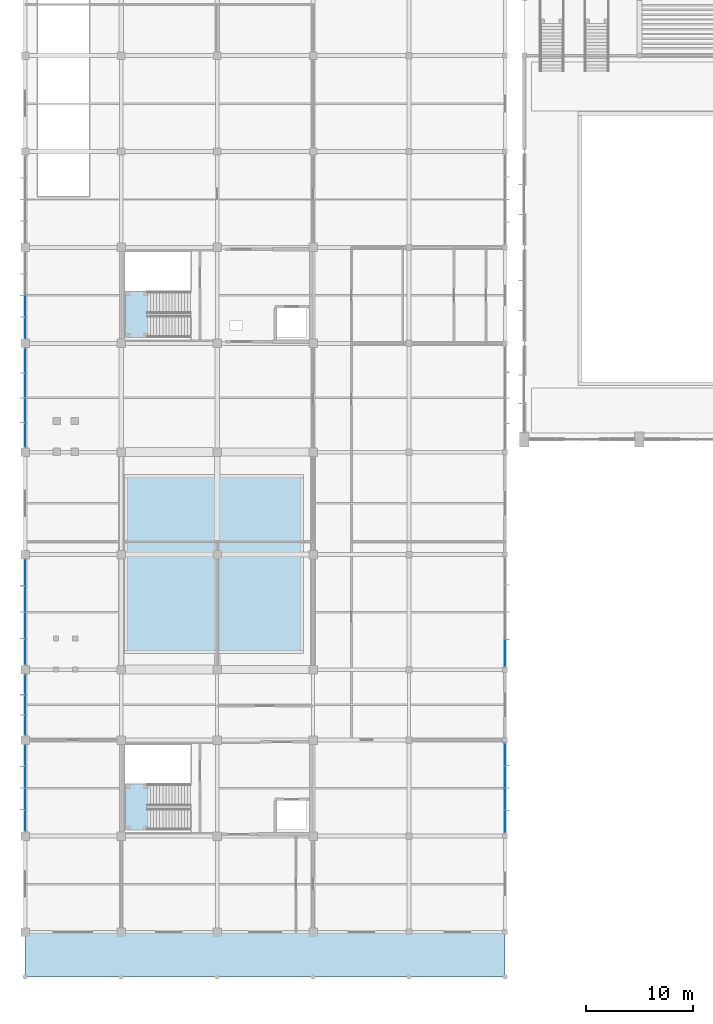
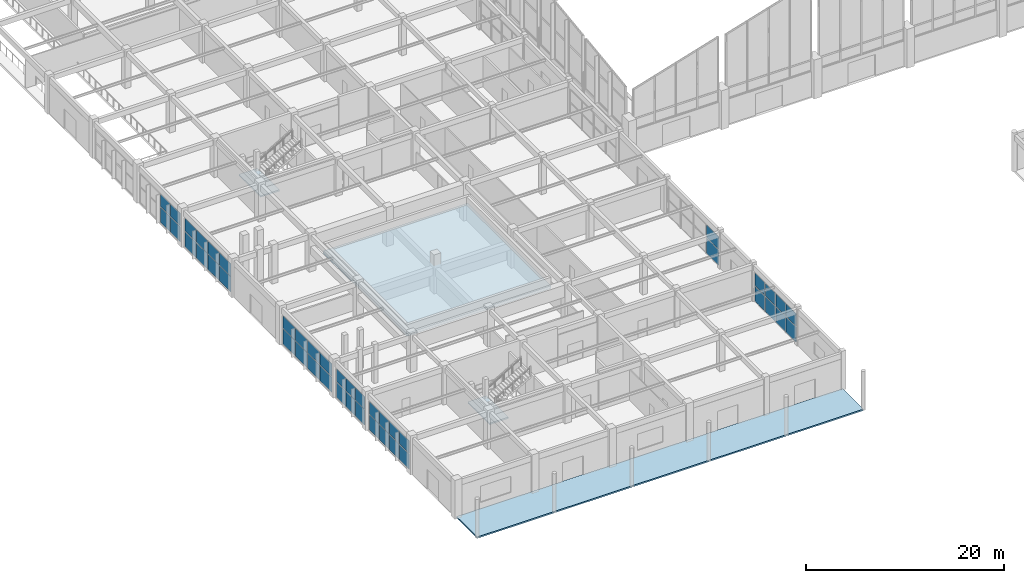
# One storey, part 39 of 82: 44 plates, 4 slabs, 9 elements without a shape of their own.
"""IFC4 building model written with IfcOpenShell, lengths in metres."""

from ifc_helpers import new_model, si_unit, direction, frame, origin, place, context, subcontext, project, spatial, polyline, outline, extrude, material, layer, layer_set, type_object, element, aggregate, save


model = new_model("IFC4")

# Units and contexts
model_context = context("Model", 3, precision=1e-05, world=origin(), true_north=direction((0.0, 1.0)))
body_context = subcontext(model_context, "Body", "Model", "MODEL_VIEW")
ifc_project = project(units=[si_unit("LENGTHUNIT", "METRE"), si_unit("AREAUNIT", "SQUARE_METRE"), si_unit("VOLUMEUNIT", "CUBIC_METRE"), si_unit("PLANEANGLEUNIT", "RADIAN"), si_unit("MASSUNIT", "GRAM", prefix="KILO")], contexts=[model_context])

# Site, building, storey
site_placement = place(None, origin())
site = spatial("IfcSite", under=ifc_project, at=site_placement, CompositionType="ELEMENT")
building_placement = place(site_placement, origin())
building = spatial("IfcBuilding", under=site, at=building_placement, Name="Suirenkawa Promenade Aquatics Centre", CompositionType="ELEMENT")
storey_placement = place(building_placement, origin())
storey = spatial("IfcBuildingStorey", under=building, at=storey_placement, Name="L00", CompositionType="ELEMENT", Elevation=0.0)

# Curtain wall, plates
ifc_material_1 = material(Name="Anodised aluminium 6063-T6", Category="aluminium")
curtain_wall_type_1 = type_object("IfcCurtainWallType", Name="CWAT-V5EL00-43", PredefinedType="NOTDEFINED", material=ifc_material_1)
curtain_wall_1_placement = place(storey_placement, origin())
curtain_wall_1 = element("IfcCurtainWall", 1, at=curtain_wall_1_placement, inside=storey, type_object=curtain_wall_type_1, Name="Curtain wall CWA-43 CW-086", PredefinedType="NOTDEFINED")
ifc_material_2 = material(Name="Low-E thermally broken double glazing", Category="glass")
ifc_layer_1 = layer(ifc_material_2, 0.028076171875, Name="Low-E thermally broken double glazing", Category="glass")
ifc_layer_set_1 = layer_set([ifc_layer_1], Name="Low-E thermally broken double glazing")
plate_type_1 = type_object("IfcPlateType", Name="CWP-LOWE-28", PredefinedType="CURTAIN_PANEL", material=ifc_layer_set_1)
plate_1_placement = place(storey_placement, frame((45.0, 21.90087890625, 0.0400390625), z_axis=(0.0, 0.0, 1.0), x_axis=(0.0, -1.0, 0.0)))
plate_1 = element("IfcPlate", 2, at=plate_1_placement, type_object=plate_type_1, Name="Glazed panel CP-02 CWP-01705", PredefinedType="CURTAIN_PANEL", context=body_context, shape_type="SweptSolid", body=[
    extrude(outline(polyline([(0.0400390625, 0.0), (2.060546875, 0.0), (2.060546875, 1.869873046875), (0.0400390625, 1.869873046875), (0.0400390625, 0.0)])), frame((0.0, 0.01416015625, 0.0), z_axis=(0.0, -1.0, 0.0), x_axis=(1.0, 0.0, 0.0)), (0.0, 0.0, 1.0), 0.028076171875),
])
plate_2_placement = place(storey_placement, frame((45.0, 21.90087890625, 1.989990234375), z_axis=(0.0, 0.0, 1.0), x_axis=(0.0, -1.0, 0.0)))
plate_2 = element("IfcPlate", 3, at=plate_2_placement, type_object=plate_type_1, Name="Top glazed panel CP-02 CWP-01706", PredefinedType="CURTAIN_PANEL", context=body_context, shape_type="SweptSolid", body=[
    extrude(outline(polyline([(0.0400390625, 0.0), (2.060546875, 0.0), (2.060546875, 1.5400390625), (0.0400390625, 1.5400390625), (0.0400390625, 0.0)])), frame((0.0, 0.01416015625, 0.0), z_axis=(0.0, -1.0, 0.0), x_axis=(1.0, 0.0, 0.0)), (0.0, 0.0, 1.0), 0.028076171875),
])
plate_3_placement = place(storey_placement, frame((45.0, 19.800537109375, 0.0400390625), z_axis=(0.0, 0.0, 1.0), x_axis=(0.0, -1.0, 0.0)))
plate_3 = element("IfcPlate", 4, at=plate_3_placement, type_object=plate_type_1, Name="Glazed panel CP-02 CWP-01707", PredefinedType="CURTAIN_PANEL", context=body_context, shape_type="SweptSolid", body=[
    extrude(outline(polyline([(0.0400390625, 0.0), (2.060546875, 0.0), (2.060546875, 1.869873046875), (0.0400390625, 1.869873046875), (0.0400390625, 0.0)])), frame((0.0, 0.01416015625, 0.0), z_axis=(0.0, -1.0, 0.0), x_axis=(1.0, 0.0, 0.0)), (0.0, 0.0, 1.0), 0.028076171875),
])
plate_4_placement = place(storey_placement, frame((45.0, 19.800537109375, 1.989990234375), z_axis=(0.0, 0.0, 1.0), x_axis=(0.0, -1.0, 0.0)))
plate_4 = element("IfcPlate", 5, at=plate_4_placement, type_object=plate_type_1, Name="Top glazed panel CP-02 CWP-01708", PredefinedType="CURTAIN_PANEL", context=body_context, shape_type="SweptSolid", body=[
    extrude(outline(polyline([(0.0400390625, 0.0), (2.060546875, 0.0), (2.060546875, 1.5400390625), (0.0400390625, 1.5400390625), (0.0400390625, 0.0)])), frame((0.0, 0.01416015625, 0.0), z_axis=(0.0, -1.0, 0.0), x_axis=(1.0, 0.0, 0.0)), (0.0, 0.0, 1.0), 0.028076171875),
])
plate_5_placement = place(storey_placement, frame((45.0, 17.699951171875, 0.0400390625), z_axis=(0.0, 0.0, 1.0), x_axis=(0.0, -1.0, 0.0)))
plate_5 = element("IfcPlate", 6, at=plate_5_placement, type_object=plate_type_1, Name="Glazed panel CP-02 CWP-01709", PredefinedType="CURTAIN_PANEL", context=body_context, shape_type="SweptSolid", body=[
    extrude(outline(polyline([(0.0400390625, 0.0), (2.060546875, 0.0), (2.060546875, 1.869873046875), (0.0400390625, 1.869873046875), (0.0400390625, 0.0)])), frame((0.0, 0.01416015625, 0.0), z_axis=(0.0, -1.0, 0.0), x_axis=(1.0, 0.0, 0.0)), (0.0, 0.0, 1.0), 0.028076171875),
])
plate_6_placement = place(storey_placement, frame((45.0, 17.699951171875, 1.989990234375), z_axis=(0.0, 0.0, 1.0), x_axis=(0.0, -1.0, 0.0)))
plate_6 = element("IfcPlate", 7, at=plate_6_placement, type_object=plate_type_1, Name="Top glazed panel CP-02 CWP-01710", PredefinedType="CURTAIN_PANEL", context=body_context, shape_type="SweptSolid", body=[
    extrude(outline(polyline([(0.0400390625, 0.0), (2.060546875, 0.0), (2.060546875, 1.5400390625), (0.0400390625, 1.5400390625), (0.0400390625, 0.0)])), frame((0.0, 0.01416015625, 0.0), z_axis=(0.0, -1.0, 0.0), x_axis=(1.0, 0.0, 0.0)), (0.0, 0.0, 1.0), 0.028076171875),
])
plate_7_placement = place(storey_placement, frame((45.0, 15.599609375, 0.0400390625), z_axis=(0.0, 0.0, 1.0), x_axis=(0.0, -1.0, 0.0)))
plate_7 = element("IfcPlate", 8, at=plate_7_placement, type_object=plate_type_1, Name="Glazed panel CP-02 CWP-01711", PredefinedType="CURTAIN_PANEL", context=body_context, shape_type="SweptSolid", body=[
    extrude(outline(polyline([(0.0400390625, 0.0), (2.060546875, 0.0), (2.060546875, 1.869873046875), (0.0400390625, 1.869873046875), (0.0400390625, 0.0)])), frame((0.0, 0.01416015625, 0.0), z_axis=(0.0, -1.0, 0.0), x_axis=(1.0, 0.0, 0.0)), (0.0, 0.0, 1.0), 0.028076171875),
])
plate_8_placement = place(storey_placement, frame((45.0, 15.599609375, 1.989990234375), z_axis=(0.0, 0.0, 1.0), x_axis=(0.0, -1.0, 0.0)))
plate_8 = element("IfcPlate", 9, at=plate_8_placement, type_object=plate_type_1, Name="Top glazed panel CP-02 CWP-01712", PredefinedType="CURTAIN_PANEL", context=body_context, shape_type="SweptSolid", body=[
    extrude(outline(polyline([(0.0400390625, 0.0), (2.060546875, 0.0), (2.060546875, 1.5400390625), (0.0400390625, 1.5400390625), (0.0400390625, 0.0)])), frame((0.0, 0.01416015625, 0.0), z_axis=(0.0, -1.0, 0.0), x_axis=(1.0, 0.0, 0.0)), (0.0, 0.0, 1.0), 0.028076171875),
])
aggregate(curtain_wall_1, [plate_1, plate_2, plate_3, plate_4, plate_5, plate_6, plate_7, plate_8])

curtain_wall_type_2 = type_object("IfcCurtainWallType", Name="CWAT-V5EL00-46", PredefinedType="NOTDEFINED", material=ifc_material_1)
curtain_wall_2_placement = place(storey_placement, origin())
curtain_wall_2 = element("IfcCurtainWall", 10, at=curtain_wall_2_placement, inside=storey, type_object=curtain_wall_type_2, Name="Curtain wall CWA-46 CW-089", PredefinedType="NOTDEFINED")
plate_9_placement = place(storey_placement, frame((45.0, 31.6494140625, 0.0400390625), z_axis=(0.0, 0.0, 1.0), x_axis=(0.0, -1.0, 0.0)))
plate_9 = element("IfcPlate", 11, at=plate_9_placement, type_object=plate_type_1, Name="Glazed panel CP-02 CWP-01772", PredefinedType="CURTAIN_PANEL", context=body_context, shape_type="SweptSolid", body=[
    extrude(outline(polyline([(0.0400390625, 0.0), (2.510498046875, 0.0), (2.510498046875, 1.869873046875), (0.0400390625, 1.869873046875), (0.0400390625, 0.0)])), frame((0.0, 0.01416015625, 0.0), z_axis=(0.0, -1.0, 0.0), x_axis=(1.0, 0.0, 0.0)), (0.0, 0.0, 1.0), 0.028076171875),
])
plate_10_placement = place(storey_placement, frame((45.0, 31.6494140625, 1.989990234375), z_axis=(0.0, 0.0, 1.0), x_axis=(0.0, -1.0, 0.0)))
plate_10 = element("IfcPlate", 12, at=plate_10_placement, type_object=plate_type_1, Name="Top glazed panel CP-02 CWP-01773", PredefinedType="CURTAIN_PANEL", context=body_context, shape_type="SweptSolid", body=[
    extrude(outline(polyline([(0.0400390625, 0.0), (2.510498046875, 0.0), (2.510498046875, 1.5400390625), (0.0400390625, 1.5400390625), (0.0400390625, 0.0)])), frame((0.0, 0.01416015625, 0.0), z_axis=(0.0, -1.0, 0.0), x_axis=(1.0, 0.0, 0.0)), (0.0, 0.0, 1.0), 0.028076171875),
])
aggregate(curtain_wall_2, [plate_9, plate_10])

curtain_wall_type_3 = type_object("IfcCurtainWallType", Name="CWAT-V5WL00-42", PredefinedType="NOTDEFINED", material=ifc_material_1)
curtain_wall_3_placement = place(storey_placement, origin())
curtain_wall_3 = element("IfcCurtainWall", 13, at=curtain_wall_3_placement, inside=storey, type_object=curtain_wall_type_3, Name="Curtain wall CWA-42 CW-085", PredefinedType="NOTDEFINED")
ifc_material_3 = material(Name="Ceramic-fritted low-SHGC double glazing", Category="glass")
ifc_layer_2 = layer(ifc_material_3, 0.035888671875, Name="Ceramic-fritted low-SHGC double glazing", Category="glass")
ifc_layer_set_2 = layer_set([ifc_layer_2], Name="Ceramic-fritted low-SHGC double glazing")
plate_type_2 = type_object("IfcPlateType", Name="CWP-SHOJI-36", PredefinedType="CURTAIN_PANEL", material=ifc_layer_set_2)
plate_11_placement = place(storey_placement, frame((0.0, 13.64892578125, 0.0400390625), z_axis=(0.0, 0.0, 1.0), x_axis=(0.0, 1.0, 0.0)))
plate_11 = element("IfcPlate", 14, at=plate_11_placement, type_object=plate_type_2, Name="Glazed panel CP-01 CWP-01683", PredefinedType="CURTAIN_PANEL", context=body_context, shape_type="SweptSolid", body=[
    extrude(outline(polyline([(0.0400390625, 0.0), (1.985595703125, 0.0), (1.985595703125, 1.869873046875), (0.0400390625, 1.869873046875), (0.0400390625, 0.0)])), frame((0.0, 0.01806640625, 0.0), z_axis=(0.0, -1.0, 0.0), x_axis=(1.0, 0.0, 0.0)), (0.0, 0.0, 1.0), 0.035888671875),
])
plate_12_placement = place(storey_placement, frame((0.0, 13.64892578125, 1.989990234375), z_axis=(0.0, 0.0, 1.0), x_axis=(0.0, 1.0, 0.0)))
plate_12 = element("IfcPlate", 15, at=plate_12_placement, type_object=plate_type_2, Name="Top glazed panel CP-01 CWP-01684", PredefinedType="CURTAIN_PANEL", context=body_context, shape_type="SweptSolid", body=[
    extrude(outline(polyline([(0.0400390625, 0.0), (1.985595703125, 0.0), (1.985595703125, 1.5400390625), (0.0400390625, 1.5400390625), (0.0400390625, 0.0)])), frame((0.0, 0.01806640625, 0.0), z_axis=(0.0, -1.0, 0.0), x_axis=(1.0, 0.0, 0.0)), (0.0, 0.0, 1.0), 0.035888671875),
])
plate_13_placement = place(storey_placement, frame((0.0, 15.674560546875, 0.0400390625), z_axis=(0.0, 0.0, 1.0), x_axis=(0.0, 1.0, 0.0)))
plate_13 = element("IfcPlate", 16, at=plate_13_placement, type_object=plate_type_2, Name="Glazed panel CP-01 CWP-01685", PredefinedType="CURTAIN_PANEL", context=body_context, shape_type="SweptSolid", body=[
    extrude(outline(polyline([(0.0400390625, 0.0), (1.985595703125, 0.0), (1.985595703125, 1.869873046875), (0.0400390625, 1.869873046875), (0.0400390625, 0.0)])), frame((0.0, 0.01806640625, 0.0), z_axis=(0.0, -1.0, 0.0), x_axis=(1.0, 0.0, 0.0)), (0.0, 0.0, 1.0), 0.035888671875),
])
plate_14_placement = place(storey_placement, frame((0.0, 15.674560546875, 1.989990234375), z_axis=(0.0, 0.0, 1.0), x_axis=(0.0, 1.0, 0.0)))
plate_14 = element("IfcPlate", 17, at=plate_14_placement, type_object=plate_type_2, Name="Top glazed panel CP-01 CWP-01686", PredefinedType="CURTAIN_PANEL", context=body_context, shape_type="SweptSolid", body=[
    extrude(outline(polyline([(0.0400390625, 0.0), (1.985595703125, 0.0), (1.985595703125, 1.5400390625), (0.0400390625, 1.5400390625), (0.0400390625, 0.0)])), frame((0.0, 0.01806640625, 0.0), z_axis=(0.0, -1.0, 0.0), x_axis=(1.0, 0.0, 0.0)), (0.0, 0.0, 1.0), 0.035888671875),
])
plate_15_placement = place(storey_placement, frame((0.0, 17.699951171875, 0.0400390625), z_axis=(0.0, 0.0, 1.0), x_axis=(0.0, 1.0, 0.0)))
plate_15 = element("IfcPlate", 18, at=plate_15_placement, type_object=plate_type_2, Name="Glazed panel CP-01 CWP-01687", PredefinedType="CURTAIN_PANEL", context=body_context, shape_type="SweptSolid", body=[
    extrude(outline(polyline([(0.0400390625, 0.0), (1.985595703125, 0.0), (1.985595703125, 1.869873046875), (0.0400390625, 1.869873046875), (0.0400390625, 0.0)])), frame((0.0, 0.01806640625, 0.0), z_axis=(0.0, -1.0, 0.0), x_axis=(1.0, 0.0, 0.0)), (0.0, 0.0, 1.0), 0.035888671875),
])
plate_16_placement = place(storey_placement, frame((0.0, 17.699951171875, 1.989990234375), z_axis=(0.0, 0.0, 1.0), x_axis=(0.0, 1.0, 0.0)))
plate_16 = element("IfcPlate", 19, at=plate_16_placement, type_object=plate_type_2, Name="Top glazed panel CP-01 CWP-01688", PredefinedType="CURTAIN_PANEL", context=body_context, shape_type="SweptSolid", body=[
    extrude(outline(polyline([(0.0400390625, 0.0), (1.985595703125, 0.0), (1.985595703125, 1.5400390625), (0.0400390625, 1.5400390625), (0.0400390625, 0.0)])), frame((0.0, 0.01806640625, 0.0), z_axis=(0.0, -1.0, 0.0), x_axis=(1.0, 0.0, 0.0)), (0.0, 0.0, 1.0), 0.035888671875),
])
plate_17_placement = place(storey_placement, frame((0.0, 19.7255859375, 0.0400390625), z_axis=(0.0, 0.0, 1.0), x_axis=(0.0, 1.0, 0.0)))
plate_17 = element("IfcPlate", 20, at=plate_17_placement, type_object=plate_type_2, Name="Glazed panel CP-01 CWP-01689", PredefinedType="CURTAIN_PANEL", context=body_context, shape_type="SweptSolid", body=[
    extrude(outline(polyline([(0.0400390625, 0.0), (1.985595703125, 0.0), (1.985595703125, 1.869873046875), (0.0400390625, 1.869873046875), (0.0400390625, 0.0)])), frame((0.0, 0.01806640625, 0.0), z_axis=(0.0, -1.0, 0.0), x_axis=(1.0, 0.0, 0.0)), (0.0, 0.0, 1.0), 0.035888671875),
])
plate_18_placement = place(storey_placement, frame((0.0, 19.7255859375, 1.989990234375), z_axis=(0.0, 0.0, 1.0), x_axis=(0.0, 1.0, 0.0)))
plate_18 = element("IfcPlate", 21, at=plate_18_placement, type_object=plate_type_2, Name="Top glazed panel CP-01 CWP-01690", PredefinedType="CURTAIN_PANEL", context=body_context, shape_type="SweptSolid", body=[
    extrude(outline(polyline([(0.0400390625, 0.0), (1.985595703125, 0.0), (1.985595703125, 1.5400390625), (0.0400390625, 1.5400390625), (0.0400390625, 0.0)])), frame((0.0, 0.01806640625, 0.0), z_axis=(0.0, -1.0, 0.0), x_axis=(1.0, 0.0, 0.0)), (0.0, 0.0, 1.0), 0.035888671875),
])
aggregate(curtain_wall_3, [plate_11, plate_12, plate_13, plate_14, plate_15, plate_16, plate_17, plate_18])

curtain_wall_type_4 = type_object("IfcCurtainWallType", Name="CWAT-V5WL00-44", PredefinedType="NOTDEFINED", material=ifc_material_1)
curtain_wall_4_placement = place(storey_placement, origin())
curtain_wall_4 = element("IfcCurtainWall", 22, at=curtain_wall_4_placement, inside=storey, type_object=curtain_wall_type_4, Name="Curtain wall CWA-44 CW-087", PredefinedType="NOTDEFINED")
plate_19_placement = place(storey_placement, frame((0.0, 22.64892578125, 0.0400390625), z_axis=(0.0, 0.0, 1.0), x_axis=(0.0, 1.0, 0.0)))
plate_19 = element("IfcPlate", 23, at=plate_19_placement, type_object=plate_type_2, Name="Glazed panel CP-01 CWP-01724", PredefinedType="CURTAIN_PANEL", context=body_context, shape_type="SweptSolid", body=[
    extrude(outline(polyline([(0.0400390625, 0.0), (1.860595703125, 0.0), (1.860595703125, 1.869873046875), (0.0400390625, 1.869873046875), (0.0400390625, 0.0)])), frame((0.0, 0.01806640625, 0.0), z_axis=(0.0, -1.0, 0.0), x_axis=(1.0, 0.0, 0.0)), (0.0, 0.0, 1.0), 0.035888671875),
])
plate_20_placement = place(storey_placement, frame((0.0, 22.64892578125, 1.989990234375), z_axis=(0.0, 0.0, 1.0), x_axis=(0.0, 1.0, 0.0)))
plate_20 = element("IfcPlate", 24, at=plate_20_placement, type_object=plate_type_2, Name="Top glazed panel CP-01 CWP-01725", PredefinedType="CURTAIN_PANEL", context=body_context, shape_type="SweptSolid", body=[
    extrude(outline(polyline([(0.0400390625, 0.0), (1.860595703125, 0.0), (1.860595703125, 1.5400390625), (0.0400390625, 1.5400390625), (0.0400390625, 0.0)])), frame((0.0, 0.01806640625, 0.0), z_axis=(0.0, -1.0, 0.0), x_axis=(1.0, 0.0, 0.0)), (0.0, 0.0, 1.0), 0.035888671875),
])
plate_21_placement = place(storey_placement, frame((0.0, 24.549560546875, 0.0400390625), z_axis=(0.0, 0.0, 1.0), x_axis=(0.0, 1.0, 0.0)))
plate_21 = element("IfcPlate", 25, at=plate_21_placement, type_object=plate_type_2, Name="Glazed panel CP-01 CWP-01726", PredefinedType="CURTAIN_PANEL", context=body_context, shape_type="SweptSolid", body=[
    extrude(outline(polyline([(0.0400390625, 0.0), (1.860595703125, 0.0), (1.860595703125, 1.869873046875), (0.0400390625, 1.869873046875), (0.0400390625, 0.0)])), frame((0.0, 0.01806640625, 0.0), z_axis=(0.0, -1.0, 0.0), x_axis=(1.0, 0.0, 0.0)), (0.0, 0.0, 1.0), 0.035888671875),
])
plate_22_placement = place(storey_placement, frame((0.0, 24.549560546875, 1.989990234375), z_axis=(0.0, 0.0, 1.0), x_axis=(0.0, 1.0, 0.0)))
plate_22 = element("IfcPlate", 26, at=plate_22_placement, type_object=plate_type_2, Name="Top glazed panel CP-01 CWP-01727", PredefinedType="CURTAIN_PANEL", context=body_context, shape_type="SweptSolid", body=[
    extrude(outline(polyline([(0.0400390625, 0.0), (1.860595703125, 0.0), (1.860595703125, 1.5400390625), (0.0400390625, 1.5400390625), (0.0400390625, 0.0)])), frame((0.0, 0.01806640625, 0.0), z_axis=(0.0, -1.0, 0.0), x_axis=(1.0, 0.0, 0.0)), (0.0, 0.0, 1.0), 0.035888671875),
])
plate_23_placement = place(storey_placement, frame((0.0, 26.450439453125, 0.0400390625), z_axis=(0.0, 0.0, 1.0), x_axis=(0.0, 1.0, 0.0)))
plate_23 = element("IfcPlate", 27, at=plate_23_placement, type_object=plate_type_2, Name="Glazed panel CP-01 CWP-01728", PredefinedType="CURTAIN_PANEL", context=body_context, shape_type="SweptSolid", body=[
    extrude(outline(polyline([(0.0400390625, 0.0), (1.860595703125, 0.0), (1.860595703125, 1.869873046875), (0.0400390625, 1.869873046875), (0.0400390625, 0.0)])), frame((0.0, 0.01806640625, 0.0), z_axis=(0.0, -1.0, 0.0), x_axis=(1.0, 0.0, 0.0)), (0.0, 0.0, 1.0), 0.035888671875),
])
plate_24_placement = place(storey_placement, frame((0.0, 26.450439453125, 1.989990234375), z_axis=(0.0, 0.0, 1.0), x_axis=(0.0, 1.0, 0.0)))
plate_24 = element("IfcPlate", 28, at=plate_24_placement, type_object=plate_type_2, Name="Top glazed panel CP-01 CWP-01729", PredefinedType="CURTAIN_PANEL", context=body_context, shape_type="SweptSolid", body=[
    extrude(outline(polyline([(0.0400390625, 0.0), (1.860595703125, 0.0), (1.860595703125, 1.5400390625), (0.0400390625, 1.5400390625), (0.0400390625, 0.0)])), frame((0.0, 0.01806640625, 0.0), z_axis=(0.0, -1.0, 0.0), x_axis=(1.0, 0.0, 0.0)), (0.0, 0.0, 1.0), 0.035888671875),
])
aggregate(curtain_wall_4, [plate_19, plate_20, plate_21, plate_22, plate_23, plate_24])

curtain_wall_type_5 = type_object("IfcCurtainWallType", Name="CWAT-V5WL00-45", PredefinedType="NOTDEFINED", material=ifc_material_1)
curtain_wall_5_placement = place(storey_placement, origin())
curtain_wall_5 = element("IfcCurtainWall", 29, at=curtain_wall_5_placement, inside=storey, type_object=curtain_wall_type_5, Name="Curtain wall CWA-45 CW-088", PredefinedType="NOTDEFINED")
plate_25_placement = place(storey_placement, frame((0.0, 29.2490234375, 0.0400390625), z_axis=(0.0, 0.0, 1.0), x_axis=(0.0, 1.0, 0.0)))
plate_25 = element("IfcPlate", 30, at=plate_25_placement, type_object=plate_type_2, Name="Glazed panel CP-01 CWP-01744", PredefinedType="CURTAIN_PANEL", context=body_context, shape_type="SweptSolid", body=[
    extrude(outline(polyline([(0.0400390625, 0.0), (2.435546875, 0.0), (2.435546875, 1.869873046875), (0.0400390625, 1.869873046875), (0.0400390625, 0.0)])), frame((0.0, 0.01806640625, 0.0), z_axis=(0.0, -1.0, 0.0), x_axis=(1.0, 0.0, 0.0)), (0.0, 0.0, 1.0), 0.035888671875),
])
plate_26_placement = place(storey_placement, frame((0.0, 29.2490234375, 1.989990234375), z_axis=(0.0, 0.0, 1.0), x_axis=(0.0, 1.0, 0.0)))
plate_26 = element("IfcPlate", 31, at=plate_26_placement, type_object=plate_type_2, Name="Top glazed panel CP-01 CWP-01745", PredefinedType="CURTAIN_PANEL", context=body_context, shape_type="SweptSolid", body=[
    extrude(outline(polyline([(0.0400390625, 0.0), (2.435546875, 0.0), (2.435546875, 1.5400390625), (0.0400390625, 1.5400390625), (0.0400390625, 0.0)])), frame((0.0, 0.01806640625, 0.0), z_axis=(0.0, -1.0, 0.0), x_axis=(1.0, 0.0, 0.0)), (0.0, 0.0, 1.0), 0.035888671875),
])
plate_27_placement = place(storey_placement, frame((0.0, 31.724609375, 0.0400390625), z_axis=(0.0, 0.0, 1.0), x_axis=(0.0, 1.0, 0.0)))
plate_27 = element("IfcPlate", 32, at=plate_27_placement, type_object=plate_type_2, Name="Glazed panel CP-01 CWP-01746", PredefinedType="CURTAIN_PANEL", context=body_context, shape_type="SweptSolid", body=[
    extrude(outline(polyline([(0.0400390625, 0.0), (2.435546875, 0.0), (2.435546875, 1.869873046875), (0.0400390625, 1.869873046875), (0.0400390625, 0.0)])), frame((0.0, 0.01806640625, 0.0), z_axis=(0.0, -1.0, 0.0), x_axis=(1.0, 0.0, 0.0)), (0.0, 0.0, 1.0), 0.035888671875),
])
plate_28_placement = place(storey_placement, frame((0.0, 31.724609375, 1.989990234375), z_axis=(0.0, 0.0, 1.0), x_axis=(0.0, 1.0, 0.0)))
plate_28 = element("IfcPlate", 33, at=plate_28_placement, type_object=plate_type_2, Name="Top glazed panel CP-01 CWP-01747", PredefinedType="CURTAIN_PANEL", context=body_context, shape_type="SweptSolid", body=[
    extrude(outline(polyline([(0.0400390625, 0.0), (2.435546875, 0.0), (2.435546875, 1.5400390625), (0.0400390625, 1.5400390625), (0.0400390625, 0.0)])), frame((0.0, 0.01806640625, 0.0), z_axis=(0.0, -1.0, 0.0), x_axis=(1.0, 0.0, 0.0)), (0.0, 0.0, 1.0), 0.035888671875),
])
plate_29_placement = place(storey_placement, frame((0.0, 34.199951171875, 0.0400390625), z_axis=(0.0, 0.0, 1.0), x_axis=(0.0, 1.0, 0.0)))
plate_29 = element("IfcPlate", 34, at=plate_29_placement, type_object=plate_type_2, Name="Glazed panel CP-01 CWP-01748", PredefinedType="CURTAIN_PANEL", context=body_context, shape_type="SweptSolid", body=[
    extrude(outline(polyline([(0.0400390625, 0.0), (2.435546875, 0.0), (2.435546875, 1.869873046875), (0.0400390625, 1.869873046875), (0.0400390625, 0.0)])), frame((0.0, 0.01806640625, 0.0), z_axis=(0.0, -1.0, 0.0), x_axis=(1.0, 0.0, 0.0)), (0.0, 0.0, 1.0), 0.035888671875),
])
plate_30_placement = place(storey_placement, frame((0.0, 34.199951171875, 1.989990234375), z_axis=(0.0, 0.0, 1.0), x_axis=(0.0, 1.0, 0.0)))
plate_30 = element("IfcPlate", 35, at=plate_30_placement, type_object=plate_type_2, Name="Top glazed panel CP-01 CWP-01749", PredefinedType="CURTAIN_PANEL", context=body_context, shape_type="SweptSolid", body=[
    extrude(outline(polyline([(0.0400390625, 0.0), (2.435546875, 0.0), (2.435546875, 1.5400390625), (0.0400390625, 1.5400390625), (0.0400390625, 0.0)])), frame((0.0, 0.01806640625, 0.0), z_axis=(0.0, -1.0, 0.0), x_axis=(1.0, 0.0, 0.0)), (0.0, 0.0, 1.0), 0.035888671875),
])
plate_31_placement = place(storey_placement, frame((0.0, 36.675537109375, 0.0400390625), z_axis=(0.0, 0.0, 1.0), x_axis=(0.0, 1.0, 0.0)))
plate_31 = element("IfcPlate", 36, at=plate_31_placement, type_object=plate_type_2, Name="Glazed panel CP-01 CWP-01750", PredefinedType="CURTAIN_PANEL", context=body_context, shape_type="SweptSolid", body=[
    extrude(outline(polyline([(0.0400390625, 0.0), (2.435546875, 0.0), (2.435546875, 1.869873046875), (0.0400390625, 1.869873046875), (0.0400390625, 0.0)])), frame((0.0, 0.01806640625, 0.0), z_axis=(0.0, -1.0, 0.0), x_axis=(1.0, 0.0, 0.0)), (0.0, 0.0, 1.0), 0.035888671875),
])
plate_32_placement = place(storey_placement, frame((0.0, 36.675537109375, 1.989990234375), z_axis=(0.0, 0.0, 1.0), x_axis=(0.0, 1.0, 0.0)))
plate_32 = element("IfcPlate", 37, at=plate_32_placement, type_object=plate_type_2, Name="Top glazed panel CP-01 CWP-01751", PredefinedType="CURTAIN_PANEL", context=body_context, shape_type="SweptSolid", body=[
    extrude(outline(polyline([(0.0400390625, 0.0), (2.435546875, 0.0), (2.435546875, 1.5400390625), (0.0400390625, 1.5400390625), (0.0400390625, 0.0)])), frame((0.0, 0.01806640625, 0.0), z_axis=(0.0, -1.0, 0.0), x_axis=(1.0, 0.0, 0.0)), (0.0, 0.0, 1.0), 0.035888671875),
])
aggregate(curtain_wall_5, [plate_25, plate_26, plate_27, plate_28, plate_29, plate_30, plate_31, plate_32])

curtain_wall_type_6 = type_object("IfcCurtainWallType", Name="CWAT-V5WL00-47", PredefinedType="NOTDEFINED", material=ifc_material_1)
curtain_wall_6_placement = place(storey_placement, origin())
curtain_wall_6 = element("IfcCurtainWall", 38, at=curtain_wall_6_placement, inside=storey, type_object=curtain_wall_type_6, Name="Curtain wall CWA-47 CW-090", PredefinedType="NOTDEFINED")
plate_33_placement = place(storey_placement, frame((0.0, 49.64892578125, 0.0400390625), z_axis=(0.0, 0.0, 1.0), x_axis=(0.0, 1.0, 0.0)))
plate_33 = element("IfcPlate", 39, at=plate_33_placement, type_object=plate_type_2, Name="Glazed panel CP-01 CWP-01788", PredefinedType="CURTAIN_PANEL", context=body_context, shape_type="SweptSolid", body=[
    extrude(outline(polyline([(0.0400390625, 0.0), (2.285400390625, 0.0), (2.285400390625, 1.869873046875), (0.0400390625, 1.869873046875), (0.0400390625, 0.0)])), frame((0.0, 0.01806640625, 0.0), z_axis=(0.0, -1.0, 0.0), x_axis=(1.0, 0.0, 0.0)), (0.0, 0.0, 1.0), 0.035888671875),
])
plate_34_placement = place(storey_placement, frame((0.0, 49.64892578125, 1.989990234375), z_axis=(0.0, 0.0, 1.0), x_axis=(0.0, 1.0, 0.0)))
plate_34 = element("IfcPlate", 40, at=plate_34_placement, type_object=plate_type_2, Name="Top glazed panel CP-01 CWP-01789", PredefinedType="CURTAIN_PANEL", context=body_context, shape_type="SweptSolid", body=[
    extrude(outline(polyline([(0.0400390625, 0.0), (2.285400390625, 0.0), (2.285400390625, 1.5400390625), (0.0400390625, 1.5400390625), (0.0400390625, 0.0)])), frame((0.0, 0.01806640625, 0.0), z_axis=(0.0, -1.0, 0.0), x_axis=(1.0, 0.0, 0.0)), (0.0, 0.0, 1.0), 0.035888671875),
])
plate_35_placement = place(storey_placement, frame((0.0, 51.974609375, 0.0400390625), z_axis=(0.0, 0.0, 1.0), x_axis=(0.0, 1.0, 0.0)))
plate_35 = element("IfcPlate", 41, at=plate_35_placement, type_object=plate_type_2, Name="Glazed panel CP-01 CWP-01790", PredefinedType="CURTAIN_PANEL", context=body_context, shape_type="SweptSolid", body=[
    extrude(outline(polyline([(0.0400390625, 0.0), (2.285400390625, 0.0), (2.285400390625, 1.869873046875), (0.0400390625, 1.869873046875), (0.0400390625, 0.0)])), frame((0.0, 0.01806640625, 0.0), z_axis=(0.0, -1.0, 0.0), x_axis=(1.0, 0.0, 0.0)), (0.0, 0.0, 1.0), 0.035888671875),
])
plate_36_placement = place(storey_placement, frame((0.0, 51.974609375, 1.989990234375), z_axis=(0.0, 0.0, 1.0), x_axis=(0.0, 1.0, 0.0)))
plate_36 = element("IfcPlate", 42, at=plate_36_placement, type_object=plate_type_2, Name="Top glazed panel CP-01 CWP-01791", PredefinedType="CURTAIN_PANEL", context=body_context, shape_type="SweptSolid", body=[
    extrude(outline(polyline([(0.0400390625, 0.0), (2.285400390625, 0.0), (2.285400390625, 1.5400390625), (0.0400390625, 1.5400390625), (0.0400390625, 0.0)])), frame((0.0, 0.01806640625, 0.0), z_axis=(0.0, -1.0, 0.0), x_axis=(1.0, 0.0, 0.0)), (0.0, 0.0, 1.0), 0.035888671875),
])
plate_37_placement = place(storey_placement, frame((0.0, 54.300048828125, 0.0400390625), z_axis=(0.0, 0.0, 1.0), x_axis=(0.0, 1.0, 0.0)))
plate_37 = element("IfcPlate", 43, at=plate_37_placement, type_object=plate_type_2, Name="Glazed panel CP-01 CWP-01792", PredefinedType="CURTAIN_PANEL", context=body_context, shape_type="SweptSolid", body=[
    extrude(outline(polyline([(0.0400390625, 0.0), (2.285400390625, 0.0), (2.285400390625, 1.869873046875), (0.0400390625, 1.869873046875), (0.0400390625, 0.0)])), frame((0.0, 0.01806640625, 0.0), z_axis=(0.0, -1.0, 0.0), x_axis=(1.0, 0.0, 0.0)), (0.0, 0.0, 1.0), 0.035888671875),
])
plate_38_placement = place(storey_placement, frame((0.0, 54.300048828125, 1.989990234375), z_axis=(0.0, 0.0, 1.0), x_axis=(0.0, 1.0, 0.0)))
plate_38 = element("IfcPlate", 44, at=plate_38_placement, type_object=plate_type_2, Name="Top glazed panel CP-01 CWP-01793", PredefinedType="CURTAIN_PANEL", context=body_context, shape_type="SweptSolid", body=[
    extrude(outline(polyline([(0.0400390625, 0.0), (2.285400390625, 0.0), (2.285400390625, 1.5400390625), (0.0400390625, 1.5400390625), (0.0400390625, 0.0)])), frame((0.0, 0.01806640625, 0.0), z_axis=(0.0, -1.0, 0.0), x_axis=(1.0, 0.0, 0.0)), (0.0, 0.0, 1.0), 0.035888671875),
])
plate_39_placement = place(storey_placement, frame((0.0, 56.62548828125, 0.0400390625), z_axis=(0.0, 0.0, 1.0), x_axis=(0.0, 1.0, 0.0)))
plate_39 = element("IfcPlate", 45, at=plate_39_placement, type_object=plate_type_2, Name="Glazed panel CP-01 CWP-01794", PredefinedType="CURTAIN_PANEL", context=body_context, shape_type="SweptSolid", body=[
    extrude(outline(polyline([(0.0400390625, 0.0), (2.285400390625, 0.0), (2.285400390625, 1.869873046875), (0.0400390625, 1.869873046875), (0.0400390625, 0.0)])), frame((0.0, 0.01806640625, 0.0), z_axis=(0.0, -1.0, 0.0), x_axis=(1.0, 0.0, 0.0)), (0.0, 0.0, 1.0), 0.035888671875),
])
plate_40_placement = place(storey_placement, frame((0.0, 56.62548828125, 1.989990234375), z_axis=(0.0, 0.0, 1.0), x_axis=(0.0, 1.0, 0.0)))
plate_40 = element("IfcPlate", 46, at=plate_40_placement, type_object=plate_type_2, Name="Top glazed panel CP-01 CWP-01795", PredefinedType="CURTAIN_PANEL", context=body_context, shape_type="SweptSolid", body=[
    extrude(outline(polyline([(0.0400390625, 0.0), (2.285400390625, 0.0), (2.285400390625, 1.5400390625), (0.0400390625, 1.5400390625), (0.0400390625, 0.0)])), frame((0.0, 0.01806640625, 0.0), z_axis=(0.0, -1.0, 0.0), x_axis=(1.0, 0.0, 0.0)), (0.0, 0.0, 1.0), 0.035888671875),
])
aggregate(curtain_wall_6, [plate_33, plate_34, plate_35, plate_36, plate_37, plate_38, plate_39, plate_40])

curtain_wall_7_placement = place(storey_placement, origin())
curtain_wall_7 = element("IfcCurtainWall", 47, at=curtain_wall_7_placement, inside=storey, type_object=curtain_wall_type_3, Name="Curtain wall CWA-42 CW-092", PredefinedType="NOTDEFINED")
plate_41_placement = place(storey_placement, frame((0.0, 59.84912109375, 0.0400390625), z_axis=(0.0, 0.0, 1.0), x_axis=(0.0, 1.0, 0.0)))
plate_41 = element("IfcPlate", 48, at=plate_41_placement, type_object=plate_type_2, Name="Glazed panel CP-01 CWP-01832", PredefinedType="CURTAIN_PANEL", context=body_context, shape_type="SweptSolid", body=[
    extrude(outline(polyline([(0.0400390625, 0.0), (1.985595703125, 0.0), (1.985595703125, 1.869873046875), (0.0400390625, 1.869873046875), (0.0400390625, 0.0)])), frame((0.0, 0.01806640625, 0.0), z_axis=(0.0, -1.0, 0.0), x_axis=(1.0, 0.0, 0.0)), (0.0, 0.0, 1.0), 0.035888671875),
])
plate_42_placement = place(storey_placement, frame((0.0, 59.84912109375, 1.989990234375), z_axis=(0.0, 0.0, 1.0), x_axis=(0.0, 1.0, 0.0)))
plate_42 = element("IfcPlate", 49, at=plate_42_placement, type_object=plate_type_2, Name="Top glazed panel CP-01 CWP-01833", PredefinedType="CURTAIN_PANEL", context=body_context, shape_type="SweptSolid", body=[
    extrude(outline(polyline([(0.0400390625, 0.0), (1.985595703125, 0.0), (1.985595703125, 1.5400390625), (0.0400390625, 1.5400390625), (0.0400390625, 0.0)])), frame((0.0, 0.01806640625, 0.0), z_axis=(0.0, -1.0, 0.0), x_axis=(1.0, 0.0, 0.0)), (0.0, 0.0, 1.0), 0.035888671875),
])
plate_43_placement = place(storey_placement, frame((0.0, 61.87451171875, 0.0400390625), z_axis=(0.0, 0.0, 1.0), x_axis=(0.0, 1.0, 0.0)))
plate_43 = element("IfcPlate", 50, at=plate_43_placement, type_object=plate_type_2, Name="Glazed panel CP-01 CWP-01834", PredefinedType="CURTAIN_PANEL", context=body_context, shape_type="SweptSolid", body=[
    extrude(outline(polyline([(0.0400390625, 0.0), (1.985595703125, 0.0), (1.985595703125, 1.869873046875), (0.0400390625, 1.869873046875), (0.0400390625, 0.0)])), frame((0.0, 0.01806640625, 0.0), z_axis=(0.0, -1.0, 0.0), x_axis=(1.0, 0.0, 0.0)), (0.0, 0.0, 1.0), 0.035888671875),
])
plate_44_placement = place(storey_placement, frame((0.0, 61.87451171875, 1.989990234375), z_axis=(0.0, 0.0, 1.0), x_axis=(0.0, 1.0, 0.0)))
plate_44 = element("IfcPlate", 51, at=plate_44_placement, type_object=plate_type_2, Name="Top glazed panel CP-01 CWP-01835", PredefinedType="CURTAIN_PANEL", context=body_context, shape_type="SweptSolid", body=[
    extrude(outline(polyline([(0.0400390625, 0.0), (1.985595703125, 0.0), (1.985595703125, 1.5400390625), (0.0400390625, 1.5400390625), (0.0400390625, 0.0)])), frame((0.0, 0.01806640625, 0.0), z_axis=(0.0, -1.0, 0.0), x_axis=(1.0, 0.0, 0.0)), (0.0, 0.0, 1.0), 0.035888671875),
])
aggregate(curtain_wall_7, [plate_41, plate_42, plate_43, plate_44])

# Slabs
ifc_material_4 = material(Name="Waterproof concrete M40", Category="concrete")
ifc_layer_3 = layer(ifc_material_4, 0.179931640625, Name="Waterproof concrete M40", Category="concrete")
ifc_layer_set_3 = layer_set([ifc_layer_3], Name="Waterproof concrete M40")
slab_type_1 = type_object("IfcSlabType", Name="SLT-ENGAWA-180", PredefinedType="FLOOR", material=ifc_layer_set_3)
slab_1_placement = place(storey_placement, frame((0.0, 0.0, -0.179931640625)))
element("IfcSlab", 52, at=slab_1_placement, inside=storey, type_object=slab_type_1, Name="V5 south engawa colonnade deck SL-EXT-02 SL-0051", PredefinedType="FLOOR", context=body_context, shape_type="SweptSolid", body=[
    extrude(outline(polyline([(0.0, 0.0), (45.0, 0.0), (45.0, 4.199951171875), (0.0, 4.199951171875), (0.0, 0.0)])), origin(), (0.0, 0.0, 1.0), 0.179931640625),
])
ifc_layer_4 = layer(ifc_material_4, 0.360107421875, Name="Waterproof concrete M40", Category="concrete")
ifc_layer_set_4 = layer_set([ifc_layer_4], Name="Waterproof concrete M40")
slab_type_2 = type_object("IfcSlabType", Name="SLT-HYDRO-360", PredefinedType="FLOOR", material=ifc_layer_set_4)
slab_2_placement = place(storey_placement, frame((0.0, 0.0, 3.090087890625)))
element("IfcSlab", 53, at=slab_2_placement, inside=storey, type_object=slab_type_2, Name="Hydrotherapy and Rehabilitation Pool basin slab SL-FLR-01 SL-0011", PredefinedType="FLOOR", context=body_context, shape_type="SweptSolid", body=[
    extrude(outline(polyline([(9.300048828125, 30.300048828125), (26.10009765625, 30.300048828125), (26.10009765625, 47.10009765625), (9.300048828125, 47.10009765625), (9.300048828125, 30.300048828125)])), origin(), (0.0, 0.0, 1.0), 0.35986328125),
])

# Stair, slab
ifc_material_5 = material(Name="Concrete M40", Category="concrete")
stair_type = type_object("IfcStairType", Name="STT-CORE-2100-480", PredefinedType="TWO_STRAIGHT_RUN_STAIR", material=ifc_material_5)
stair_1_placement = place(storey_placement, origin())
stair_1 = element("IfcStair", 54, at=stair_1_placement, inside=storey, type_object=stair_type, Name="Protected exit stair STR-01 ST-02", PredefinedType="TWO_STRAIGHT_RUN_STAIR")
ifc_layer_5 = layer(ifc_material_5, 0.169921875, Name="Concrete M40", Category="concrete")
ifc_layer_set_5 = layer_set([ifc_layer_5], Name="Concrete M40")
slab_type_3 = type_object("IfcSlabType", Name="SLT-LANDING-170", PredefinedType="LANDING", material=ifc_layer_set_5)
slab_3_placement = place(storey_placement, frame((0.0, 0.0, 2.219970703125)))
slab_3 = element("IfcSlab", 55, at=slab_3_placement, type_object=slab_type_3, Name="Stair landing SL-LND-01 SL-8002", PredefinedType="LANDING", context=body_context, shape_type="SweptSolid", body=[
    extrude(outline(polyline([(9.360107421875, 13.719970703125), (11.550048828125, 13.719970703125), (11.550048828125, 18.110107421875), (9.360107421875, 18.110107421875), (9.360107421875, 13.719970703125)])), origin(), (0.0, 0.0, 1.0), 0.179931640625),
])
aggregate(stair_1, [slab_3])

stair_2_placement = place(storey_placement, origin())
stair_2 = element("IfcStair", 56, at=stair_2_placement, inside=storey, type_object=stair_type, Name="Protected exit stair STR-01 ST-07", PredefinedType="TWO_STRAIGHT_RUN_STAIR")
slab_4_placement = place(storey_placement, frame((0.0, 0.0, 2.219970703125)))
slab_4 = element("IfcSlab", 57, at=slab_4_placement, type_object=slab_type_3, Name="Stair landing SL-LND-01 SL-8007", PredefinedType="LANDING", context=body_context, shape_type="SweptSolid", body=[
    extrude(outline(polyline([(9.360107421875, 59.919921875), (11.550048828125, 59.919921875), (11.550048828125, 64.31005859375), (9.360107421875, 64.31005859375), (9.360107421875, 59.919921875)])), origin(), (0.0, 0.0, 1.0), 0.179931640625),
])
aggregate(stair_2, [slab_4])

save(model, "model.ifc")
